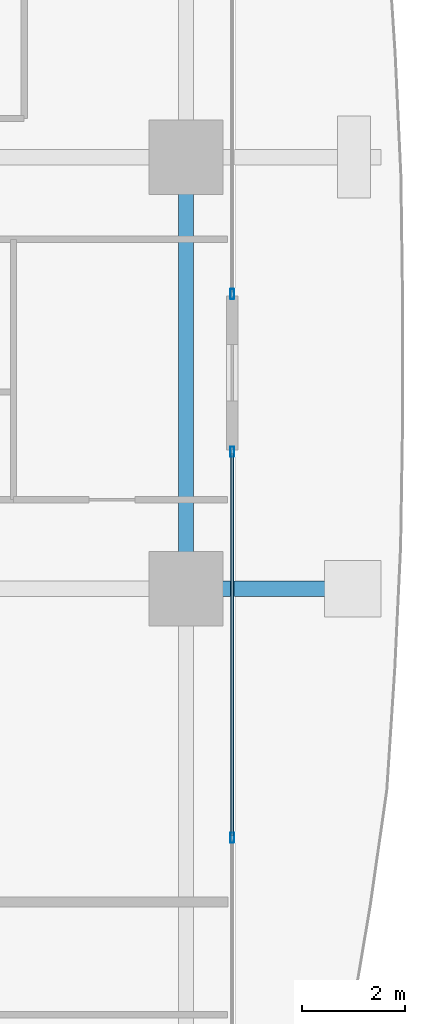
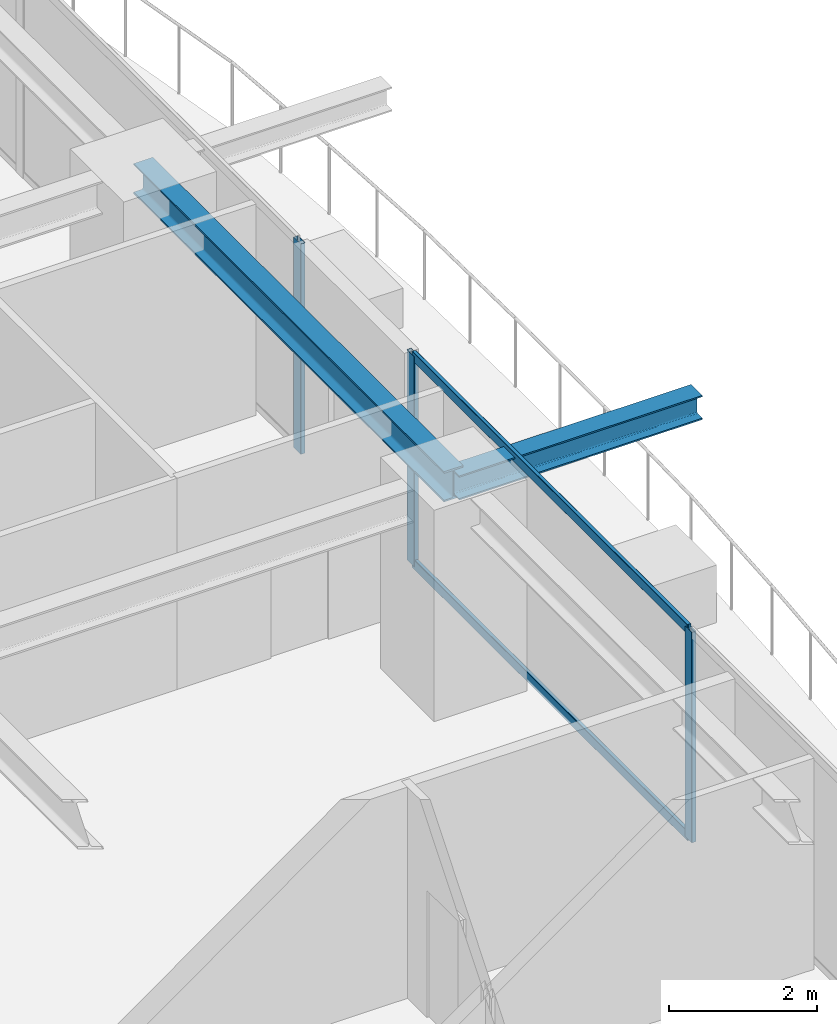
# One storey, part 15 of 39: 5 members, 2 beams, 2 elements without a shape of their own.
"""IFC4 building model written with IfcOpenShell, lengths in metres."""

from ifc_helpers import new_model, si_unit, direction, frame, origin, origin_2d, place, context, subcontext, project, spatial, hollow_rectangle, i_section, extrude, source, transform, mapped, material, layer, layer_set, material_profile, profile_set, type_object, element, aggregate, save


model = new_model("IFC4")

# Units and contexts
model_context = context("Model", 3, precision=1e-05, world=origin(), true_north=direction((0.0, 1.0)))
body_context = subcontext(model_context, "Body", "Model", "MODEL_VIEW")
ifc_project = project(units=[si_unit("LENGTHUNIT", "METRE"), si_unit("AREAUNIT", "SQUARE_METRE"), si_unit("VOLUMEUNIT", "CUBIC_METRE"), si_unit("PLANEANGLEUNIT", "RADIAN"), si_unit("MASSUNIT", "GRAM", prefix="KILO")], contexts=[model_context])

# Site, building, storey
site_placement = place(None, origin())
site = spatial("IfcSite", under=ifc_project, at=site_placement, CompositionType="ELEMENT")
building_placement = place(site_placement, origin())
building = spatial("IfcBuilding", under=site, at=building_placement, Name="Serunith Strait Residences", CompositionType="ELEMENT")
storey_placement = place(building_placement, frame((0.0, 0.0, 64.199951171875)))
storey = spatial("IfcBuildingStorey", under=building, at=storey_placement, Name="L15", CompositionType="ELEMENT", Elevation=64.199951171875)

# Beams
ifc_material_1 = material(Name="Steel S355J2", Category="steel")
ifc_material_profile_1 = material_profile(ifc_material_1, i_section(OverallWidth=0.300048828125, OverallDepth=0.5, WebThickness=0.014404296875, FlangeThickness=0.028076171875, FilletRadius=0.027099609375, at=origin_2d()), Name="HEB 500")
ifc_profile_set_1 = profile_set([ifc_material_profile_1], Name="Steel S355J2")
beam_type_1 = type_object("IfcBeamType", Name="BM-HEB500", PredefinedType="BEAM", material=ifc_profile_set_1)
shared_shape_1 = source(origin(), body_context, "Body", "SweptSolid", [
    extrude(i_section(OverallWidth=0.300048828125, OverallDepth=0.5, WebThickness=0.014404296875, FlangeThickness=0.028076171875, FilletRadius=0.027099609375, at=origin_2d()), origin(), (0.0, 0.0, 1.0), 8.39990234375),
])
beam_1_placement = place(storey_placement, frame((57.89990234375, 21.0, 3.237060546875), z_axis=(0.0, 1.0, 0.0), x_axis=(-1.0, 0.0, 0.0)))
element("IfcBeam", 1, at=beam_1_placement, inside=storey, type_object=beam_type_1, Name="L15 Perimeter Ring Beam 06", PredefinedType="BEAM", context=body_context, shape_type="MappedRepresentation", body=[
    mapped(shared_shape_1, transform((0.0, 0.0, 0.0), scale=1.0)),
])
ifc_material_profile_2 = material_profile(ifc_material_1, i_section(OverallWidth=0.300048828125, OverallDepth=0.39990234375, WebThickness=0.013427734375, FlangeThickness=0.02392578125, FilletRadius=0.027099609375, at=origin_2d()), Name="HEB 400")
ifc_profile_set_2 = profile_set([ifc_material_profile_2], Name="Steel S355J2")
beam_type_2 = type_object("IfcBeamType", Name="BM-HEB400", PredefinedType="BEAM", material=ifc_profile_set_2)
shared_shape_2 = source(origin(), body_context, "Body", "SweptSolid", [
    extrude(i_section(OverallWidth=0.300048828125, OverallDepth=0.39990234375, WebThickness=0.013427734375, FlangeThickness=0.02392578125, FilletRadius=0.027099609375, at=origin_2d()), origin(), (0.0, 0.0, 1.0), 3.800048828125),
])
beam_2_placement = place(storey_placement, frame((57.89990234375, 21.0, 3.257080078125), z_axis=(1.0, 0.0, 0.0), x_axis=(0.0, 1.0, 0.0)))
element("IfcBeam", 2, at=beam_2_placement, inside=storey, type_object=beam_type_2, Name="L16 Cantilevered Balcony Rib TC-E2", PredefinedType="BEAM", context=body_context, shape_type="MappedRepresentation", body=[
    mapped(shared_shape_2, transform((0.0, 0.0, 0.0), scale=1.0)),
])

# Curtain wall, members
ifc_material_2 = material(Name="Pale-Champagne Anodised Aluminium", Category="aluminium")
ifc_layer = layer(ifc_material_2, 0.199951171875, Name="Pale-Champagne Anodised Aluminium")
ifc_layer_set = layer_set([ifc_layer], Name="Pale-Champagne Anodised Aluminium")
curtain_wall_type = type_object("IfcCurtainWallType", Name="CW-SYS1", PredefinedType="NOTDEFINED", material=ifc_layer_set)
curtain_wall_1_placement = place(storey_placement, origin())
curtain_wall_1 = element("IfcCurtainWall", 3, at=curtain_wall_1_placement, inside=storey, type_object=curtain_wall_type, Name="L15 E Unitised Fritted Curtain Wall", PredefinedType="NOTDEFINED")
ifc_material_profile_3 = material_profile(ifc_material_2, hollow_rectangle(XDim=0.070068359375, YDim=0.199951171875, WallThickness=0.00390625, InnerFilletRadius=0.006103515625, OuterFilletRadius=0.010009765625, at=origin_2d()), Name="ALU 200x70x4")
ifc_profile_set_3 = profile_set([ifc_material_profile_3], Name="Pale-Champagne Anodised Aluminium")
member_type_1 = type_object("IfcMemberType", Name="CW-SYS1-MULL", PredefinedType="MULLION", material=ifc_profile_set_3)
shared_shape_3 = source(origin(), body_context, "Body", "SweptSolid", [
    extrude(hollow_rectangle(XDim=0.070068359375, YDim=0.199951171875, WallThickness=0.00390625, InnerFilletRadius=0.006103515625, OuterFilletRadius=0.010009765625, at=origin_2d()), origin(), (0.0, 0.0, 1.0), 3.47509765625),
])
member_1_placement = place(storey_placement, frame((58.800048828125, 16.14990234375, 0.0), z_axis=(0.0, 0.0, 1.0), x_axis=(-1.0, 0.0, 0.0)))
member_1 = element("IfcMember", 4, at=member_1_placement, type_object=member_type_1, Name="CW-1 mullion 2", PredefinedType="MULLION", context=body_context, shape_type="MappedRepresentation", body=[
    mapped(shared_shape_3, transform((0.0, 0.0, 0.0), scale=1.0)),
])
member_2_placement = place(storey_placement, frame((58.800048828125, 23.6650390625, 0.0), z_axis=(0.0, 0.0, 1.0), x_axis=(-1.0, 0.0, 0.0)))
member_2 = element("IfcMember", 5, at=member_2_placement, type_object=member_type_1, Name="CW-1 mullion 3", PredefinedType="MULLION", context=body_context, shape_type="MappedRepresentation", body=[
    mapped(shared_shape_3, transform((0.0, 0.0, 0.0), scale=1.0)),
])

# Curtain wall, member
curtain_wall_2_placement = place(storey_placement, origin())
curtain_wall_2 = element("IfcCurtainWall", 6, at=curtain_wall_2_placement, inside=storey, type_object=curtain_wall_type, Name="L15 E Unitised Fritted Curtain Wall", PredefinedType="NOTDEFINED")
member_3_placement = place(storey_placement, frame((58.800048828125, 26.735107421875, 0.0), z_axis=(0.0, 0.0, 1.0), x_axis=(-1.0, 0.0, 0.0)))
member_3 = element("IfcMember", 7, at=member_3_placement, type_object=member_type_1, Name="CW-1 mullion 1", PredefinedType="MULLION", context=body_context, shape_type="MappedRepresentation", body=[
    mapped(shared_shape_3, transform((0.0, 0.0, 0.0), scale=1.0)),
])
aggregate(curtain_wall_2, [member_3])

# Member
ifc_material_profile_4 = material_profile(ifc_material_2, hollow_rectangle(XDim=0.06005859375, YDim=0.159912109375, WallThickness=0.00341796875, InnerFilletRadius=0.00537109375, OuterFilletRadius=0.0087890625, at=origin_2d()), Name="ALU 160x60x3.5")
ifc_profile_set_4 = profile_set([ifc_material_profile_4], Name="Pale-Champagne Anodised Aluminium")
member_type_2 = type_object("IfcMemberType", Name="CW-SYS1-TRAN", PredefinedType="USERDEFINED", material=ifc_profile_set_4)
shared_shape_4 = source(origin(), body_context, "Body", "SweptSolid", [
    extrude(hollow_rectangle(XDim=0.06005859375, YDim=0.159912109375, WallThickness=0.00341796875, InnerFilletRadius=0.00537109375, OuterFilletRadius=0.0087890625, at=origin_2d()), origin(), (0.0, 0.0, 1.0), 7.44482421875),
])
member_4_placement = place(storey_placement, frame((58.800048828125, 16.18505859375, 0.030029296875), z_axis=(0.0, 1.0, 0.0), x_axis=(-1.0, 0.0, 0.0)))
member_4 = element("IfcMember", 8, at=member_4_placement, type_object=member_type_2, Name="CW-1 transom 2.1", ObjectType="TRANSOM", PredefinedType="USERDEFINED", context=body_context, shape_type="MappedRepresentation", body=[
    mapped(shared_shape_4, transform((0.0, 0.0, 0.0), scale=1.0)),
])

member_5_placement = place(storey_placement, frame((58.800048828125, 16.18505859375, 3.445068359375), z_axis=(0.0, 1.0, 0.0), x_axis=(-1.0, 0.0, 0.0)))
member_5 = element("IfcMember", 9, at=member_5_placement, type_object=member_type_2, Name="CW-1 transom 2.2", ObjectType="TRANSOM", PredefinedType="USERDEFINED", context=body_context, shape_type="MappedRepresentation", body=[
    mapped(shared_shape_4, transform((0.0, 0.0, 0.0), scale=1.0)),
])

aggregate(curtain_wall_1, [member_1, member_2, member_4, member_5])

save(model, "model.ifc")
